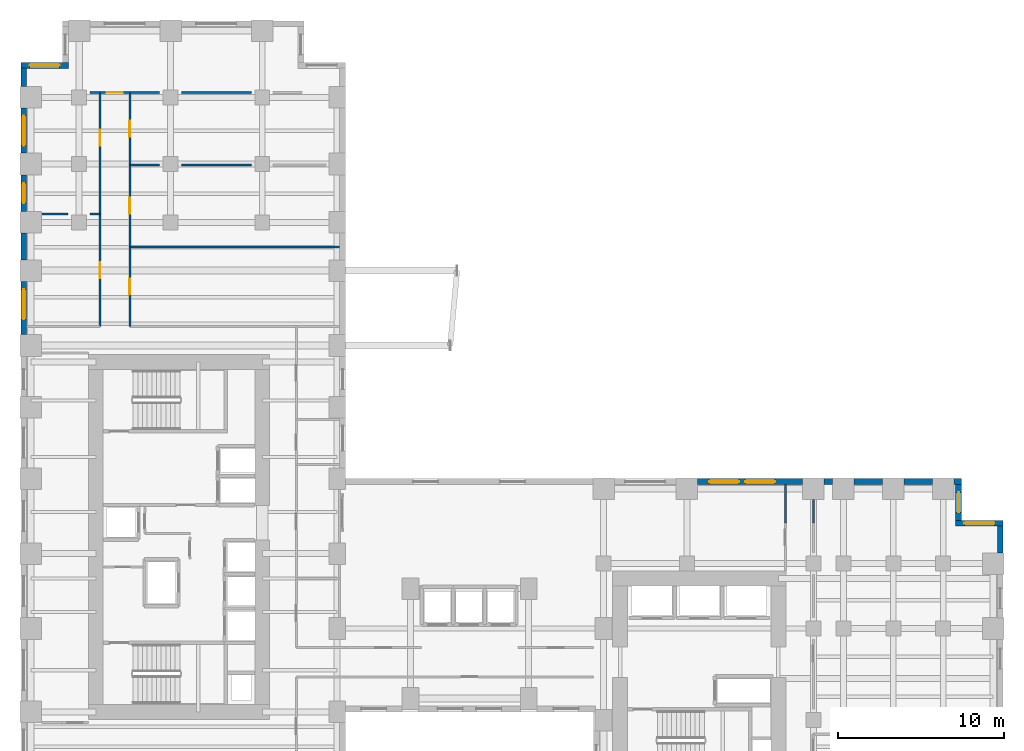
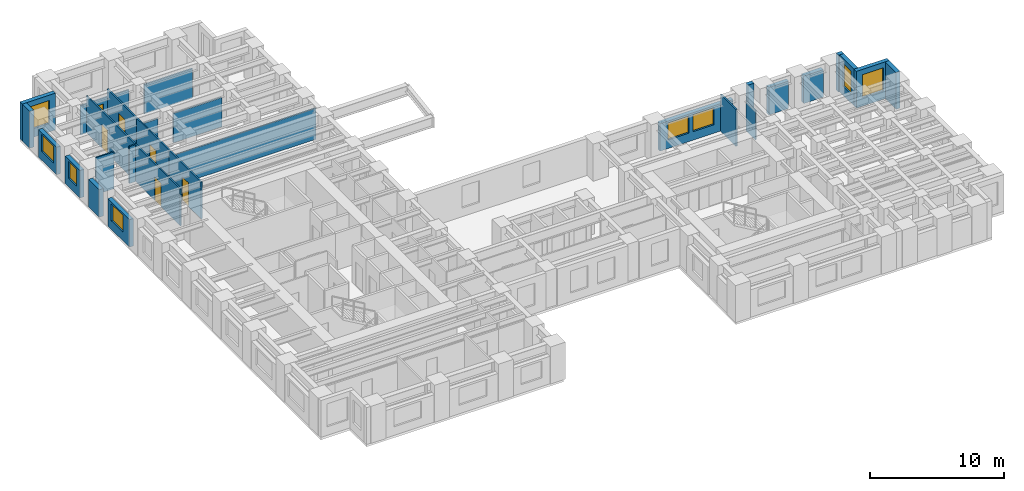
# One storey, part 10 of 13: 30 walls, 8 windows, 6 doors, 14 openings.
"""IFC4 building model written with IfcOpenShell, lengths in metres."""

from ifc_helpers import new_model, si_unit, direction, frame, frame_2d, origin, place, context, subcontext, project, spatial, rectangle, extrude, source, transform, mapped, material, layer, layer_set, type_object, element, fill, save


model = new_model("IFC4")

# Units and contexts
model_context = context("Model", 3, precision=1e-05, world=origin(), true_north=direction((0.0, 1.0)))
body_context = subcontext(model_context, "Body", "Model", "MODEL_VIEW")
ifc_project = project(units=[si_unit("LENGTHUNIT", "METRE"), si_unit("AREAUNIT", "SQUARE_METRE"), si_unit("VOLUMEUNIT", "CUBIC_METRE"), si_unit("PLANEANGLEUNIT", "RADIAN"), si_unit("MASSUNIT", "GRAM", prefix="KILO")], contexts=[model_context])

# Site, building, storey
site_placement = place(None, origin())
site = spatial("IfcSite", under=ifc_project, at=site_placement, CompositionType="ELEMENT")
building_placement = place(site_placement, origin())
building = spatial("IfcBuilding", under=site, at=building_placement, Name="Kharzan Plaza Tower", CompositionType="ELEMENT")
storey_placement = place(building_placement, frame((0.0, 0.0, 65.699951171875)))
storey = spatial("IfcBuildingStorey", under=building, at=storey_placement, Name="L17", CompositionType="ELEMENT", Elevation=65.699951171875)

# Wall, opening, window
ifc_material_1 = material(Name="Concrete C40/50", Category="concrete")
ifc_layer_1 = layer(ifc_material_1, 0.35009765625)
ifc_layer_set_1 = layer_set([ifc_layer_1], Name="Concrete C40/50")
wall_type_1 = type_object("IfcWallType", Name="WL-EXT-MAS-Z1", PredefinedType="SOLIDWALL", material=ifc_layer_set_1)
wall_1_placement = place(storey_placement, frame((2.85009765625, 47.324951171875, 0.0), z_axis=(0.0, 0.0, 1.0), x_axis=(-1.0, 0.0, 0.0)))
wall_1 = element("IfcWall", 1, at=wall_1_placement, inside=storey, type_object=wall_type_1, Name="L17 Masonry-Frame Exterior Wall 08", PredefinedType="SOLIDWALL", context=body_context, shape_type="SweptSolid", body=[
    extrude(rectangle(XDim=2.85009765625, YDim=0.35009765625, at=frame_2d((1.425048828125, 0.0))), origin(), (0.0, 0.0, 1.0), 3.364990234375),
])
opening_1_placement = place(wall_1_placement, frame((0.52490234375, 0.0, 0.780029296875)))
opening_1 = element("IfcOpeningElement", 2, at=opening_1_placement, cuts=wall_1, Name="Opening W1", PredefinedType="OPENING", context=body_context, shape_type="SweptSolid", body=[
    extrude(rectangle(XDim=1.800048828125, YDim=2.10009765625, at=frame_2d((0.89990234375, 1.050048828125))), frame((0.0, 0.18505859375, 0.0), z_axis=(0.0, -1.0, 0.0), x_axis=(1.0, 0.0, 0.0)), (0.0, 0.0, 1.0), 0.3701171875),
])
ifc_material_2 = material(Name="Low-E Double Glazing", Category="glass")
window_type_1 = type_object("IfcWindowType", Name="WN-REC-1800x2100", PartitioningType="SINGLE_PANEL", PredefinedType="WINDOW", material=ifc_material_2)
shared_shape_1 = source(origin(), body_context, "Body", "SweptSolid", [
    extrude(rectangle(XDim=1.800048828125, YDim=2.10009765625, at=frame_2d((0.89990234375, 1.050048828125))), frame((0.0, 0.030029296875, 0.0), z_axis=(0.0, -1.0, 0.0), x_axis=(1.0, 0.0, 0.0)), (0.0, 0.0, 1.0), 0.06005859375),
])
window_1_placement = place(opening_1_placement, origin())
window_1 = element("IfcWindow", 3, at=window_1_placement, inside=storey, type_object=window_type_1, Name="L17 Recessed Solar-Control Window 08-1", OverallHeight=2.10009765625, OverallWidth=1.800048828125, PartitioningType="SINGLE_PANEL", PredefinedType="WINDOW", context=body_context, shape_type="MappedRepresentation", body=[
    mapped(shared_shape_1, transform((0.0, 0.0, 0.0), x_axis=(1.0, 0.0, 0.0), y_axis=(0.0, 1.0, 0.0), z_axis=(0.0, 0.0, 1.0))),
])
fill(opening_1, window_1)

wall_2_placement = place(storey_placement, frame((0.175048828125, 44.751953125, 0.0), z_axis=(0.0, 0.0, 1.0), x_axis=(0.0, -1.0, 0.0)))
wall_2 = element("IfcWall", 4, at=wall_2_placement, inside=storey, type_object=wall_type_1, Name="L17 Masonry-Frame Exterior Wall 10", PredefinedType="SOLIDWALL", context=body_context, shape_type="SweptSolid", body=[
    extrude(rectangle(XDim=2.703857421875, YDim=0.35009765625, at=frame_2d((1.35205078125, 0.0))), origin(), (0.0, 0.0, 1.0), 2.510009765625),
])
opening_2_placement = place(wall_2_placement, frame((0.451904296875, 0.0, 0.780029296875)))
opening_2 = element("IfcOpeningElement", 5, at=opening_2_placement, cuts=wall_2, Name="Opening W1", PredefinedType="OPENING", context=body_context, shape_type="SweptSolid", body=[
    extrude(rectangle(XDim=1.800048828125, YDim=1.550048828125, at=frame_2d((0.89990234375, 0.77490234375))), frame((0.0, 0.18505859375, 0.0), z_axis=(0.0, -1.0, 0.0), x_axis=(1.0, 0.0, 0.0)), (0.0, 0.0, 1.0), 0.3701171875),
])
shared_shape_2 = source(origin(), body_context, "Body", "SweptSolid", [
    extrude(rectangle(XDim=1.800048828125, YDim=1.550048828125, at=frame_2d((0.89990234375, 0.77490234375))), frame((0.0, 0.030029296875, 0.0), z_axis=(0.0, -1.0, 0.0), x_axis=(1.0, 0.0, 0.0)), (0.0, 0.0, 1.0), 0.06005859375),
])
window_2_placement = place(opening_2_placement, origin())
window_2 = element("IfcWindow", 6, at=window_2_placement, inside=storey, type_object=window_type_1, Name="L17 Recessed Solar-Control Window 10-1", OverallHeight=1.550048828125, OverallWidth=1.800048828125, PartitioningType="SINGLE_PANEL", PredefinedType="WINDOW", context=body_context, shape_type="MappedRepresentation", body=[
    mapped(shared_shape_2, transform((0.0, 0.0, 0.0), x_axis=(1.0, 0.0, 0.0), y_axis=(0.0, 1.0, 0.0), z_axis=(0.0, 0.0, 1.0))),
])
fill(opening_2, window_2)

wall_3_placement = place(storey_placement, frame((0.175048828125, 40.751953125, 0.0), z_axis=(0.0, 0.0, 1.0), x_axis=(0.0, -1.0, 0.0)))
wall_3 = element("IfcWall", 7, at=wall_3_placement, inside=storey, type_object=wall_type_1, Name="L17 Masonry-Frame Exterior Wall 11", PredefinedType="SOLIDWALL", context=body_context, shape_type="SweptSolid", body=[
    extrude(rectangle(XDim=2.203857421875, YDim=0.35009765625, at=frame_2d((1.10205078125, 0.0))), origin(), (0.0, 0.0, 1.0), 2.510009765625),
])
opening_3_placement = place(wall_3_placement, frame((0.501953125, 0.0, 0.780029296875)))
opening_3 = element("IfcOpeningElement", 8, at=opening_3_placement, cuts=wall_3, Name="Opening W3", PredefinedType="OPENING", context=body_context, shape_type="SweptSolid", body=[
    extrude(rectangle(XDim=1.199951171875, YDim=1.550048828125, at=frame_2d((0.60009765625, 0.77490234375))), frame((0.0, 0.18505859375, 0.0), z_axis=(0.0, -1.0, 0.0), x_axis=(1.0, 0.0, 0.0)), (0.0, 0.0, 1.0), 0.3701171875),
])
window_type_2 = type_object("IfcWindowType", Name="WN-REC-1200x2100", PartitioningType="SINGLE_PANEL", PredefinedType="WINDOW", material=ifc_material_2)
shared_shape_3 = source(origin(), body_context, "Body", "SweptSolid", [
    extrude(rectangle(XDim=1.199951171875, YDim=1.550048828125, at=frame_2d((0.60009765625, 0.77490234375))), frame((0.0, 0.030029296875, 0.0), z_axis=(0.0, -1.0, 0.0), x_axis=(1.0, 0.0, 0.0)), (0.0, 0.0, 1.0), 0.06005859375),
])
window_3_placement = place(opening_3_placement, origin())
window_3 = element("IfcWindow", 9, at=window_3_placement, inside=storey, type_object=window_type_2, Name="L17 Recessed Solar-Control Window 11-1", OverallHeight=1.550048828125, OverallWidth=1.199951171875, PartitioningType="SINGLE_PANEL", PredefinedType="WINDOW", context=body_context, shape_type="MappedRepresentation", body=[
    mapped(shared_shape_3, transform((0.0, 0.0, 0.0), x_axis=(1.0, 0.0, 0.0), y_axis=(0.0, 1.0, 0.0), z_axis=(0.0, 0.0, 1.0))),
])
fill(opening_3, window_3)

wall_4_placement = place(storey_placement, frame((0.175048828125, 34.35205078125, 0.0), z_axis=(0.0, 0.0, 1.0), x_axis=(0.0, -1.0, 0.0)))
wall_4 = element("IfcWall", 10, at=wall_4_placement, inside=storey, type_object=wall_type_1, Name="L17 Masonry-Frame Exterior Wall 13", PredefinedType="SOLIDWALL", context=body_context, shape_type="SweptSolid", body=[
    extrude(rectangle(XDim=3.2041015625, YDim=0.35009765625, at=frame_2d((1.60205078125, 0.0))), origin(), (0.0, 0.0, 1.0), 2.510009765625),
])
opening_4_placement = place(wall_4_placement, frame((0.486083984375, 0.0, 0.780029296875)))
opening_4 = element("IfcOpeningElement", 11, at=opening_4_placement, cuts=wall_4, Name="Opening W1", PredefinedType="OPENING", context=body_context, shape_type="SweptSolid", body=[
    extrude(rectangle(XDim=1.800048828125, YDim=1.550048828125, at=frame_2d((0.89990234375, 0.77490234375))), frame((0.0, 0.18505859375, 0.0), z_axis=(0.0, -1.0, 0.0), x_axis=(1.0, 0.0, 0.0)), (0.0, 0.0, 1.0), 0.3701171875),
])
window_4_placement = place(opening_4_placement, origin())
window_4 = element("IfcWindow", 12, at=window_4_placement, inside=storey, type_object=window_type_1, Name="L17 Recessed Solar-Control Window 13-1", OverallHeight=1.550048828125, OverallWidth=1.800048828125, PartitioningType="SINGLE_PANEL", PredefinedType="WINDOW", context=body_context, shape_type="MappedRepresentation", body=[
    mapped(shared_shape_2, transform((0.0, 0.0, 0.0), x_axis=(1.0, 0.0, 0.0), y_axis=(0.0, 1.0, 0.0), z_axis=(0.0, 0.0, 1.0))),
])
fill(opening_4, window_4)

wall_5_placement = place(storey_placement, frame((59.0, 19.824951171875, 0.0), z_axis=(0.0, 0.0, 1.0), x_axis=(-1.0, 0.0, 0.0)))
wall_5 = element("IfcWall", 13, at=wall_5_placement, inside=storey, type_object=wall_type_1, Name="L17 Masonry-Frame Exterior Wall 45", PredefinedType="SOLIDWALL", context=body_context, shape_type="SweptSolid", body=[
    extrude(rectangle(XDim=2.85009765625, YDim=0.35009765625, at=frame_2d((1.425048828125, 0.0))), origin(), (0.0, 0.0, 1.0), 3.364990234375),
])
opening_5_placement = place(wall_5_placement, frame((0.52490234375, 0.0, 0.780029296875)))
opening_5 = element("IfcOpeningElement", 14, at=opening_5_placement, cuts=wall_5, Name="Opening W1", PredefinedType="OPENING", context=body_context, shape_type="SweptSolid", body=[
    extrude(rectangle(XDim=1.800048828125, YDim=2.10009765625, at=frame_2d((0.89990234375, 1.050048828125))), frame((0.0, 0.18505859375, 0.0), z_axis=(0.0, -1.0, 0.0), x_axis=(1.0, 0.0, 0.0)), (0.0, 0.0, 1.0), 0.3701171875),
])
window_5_placement = place(opening_5_placement, origin())
window_5 = element("IfcWindow", 15, at=window_5_placement, inside=storey, type_object=window_type_1, Name="L17 Recessed Solar-Control Window 45-1", OverallHeight=2.10009765625, OverallWidth=1.800048828125, PartitioningType="SINGLE_PANEL", PredefinedType="WINDOW", context=body_context, shape_type="MappedRepresentation", body=[
    mapped(shared_shape_1, transform((0.0, 0.0, 0.0), x_axis=(1.0, 0.0, 0.0), y_axis=(0.0, 1.0, 0.0), z_axis=(0.0, 0.0, 1.0))),
])
fill(opening_5, window_5)

wall_6_placement = place(storey_placement, frame((56.324951171875, 19.998046875, 0.0), z_axis=(0.0, 0.0, 1.0), x_axis=(0.0, 1.0, 0.0)))
wall_6 = element("IfcWall", 16, at=wall_6_placement, inside=storey, type_object=wall_type_1, Name="L17 Masonry-Frame Exterior Wall 46", PredefinedType="SOLIDWALL", context=body_context, shape_type="SweptSolid", body=[
    extrude(rectangle(XDim=2.154052734375, YDim=0.35009765625, at=frame_2d((1.0771484375, 0.0))), origin(), (0.0, 0.0, 1.0), 3.364990234375),
])
opening_6_placement = place(wall_6_placement, frame((0.47705078125, 0.0, 0.780029296875)))
opening_6 = element("IfcOpeningElement", 17, at=opening_6_placement, cuts=wall_6, Name="Opening W3", PredefinedType="OPENING", context=body_context, shape_type="SweptSolid", body=[
    extrude(rectangle(XDim=1.199951171875, YDim=2.10009765625, at=frame_2d((0.60009765625, 1.050048828125))), frame((0.0, 0.18505859375, 0.0), z_axis=(0.0, -1.0, 0.0), x_axis=(1.0, 0.0, 0.0)), (0.0, 0.0, 1.0), 0.3701171875),
])
shared_shape_4 = source(origin(), body_context, "Body", "SweptSolid", [
    extrude(rectangle(XDim=1.199951171875, YDim=2.10009765625, at=frame_2d((0.60009765625, 1.050048828125))), frame((0.0, 0.030029296875, 0.0), z_axis=(0.0, -1.0, 0.0), x_axis=(1.0, 0.0, 0.0)), (0.0, 0.0, 1.0), 0.06005859375),
])
window_6_placement = place(opening_6_placement, origin())
window_6 = element("IfcWindow", 18, at=window_6_placement, inside=storey, type_object=window_type_2, Name="L17 Recessed Solar-Control Window 46-1", OverallHeight=2.10009765625, OverallWidth=1.199951171875, PartitioningType="SINGLE_PANEL", PredefinedType="WINDOW", context=body_context, shape_type="MappedRepresentation", body=[
    mapped(shared_shape_4, transform((0.0, 0.0, 0.0), x_axis=(1.0, 0.0, 0.0), y_axis=(0.0, 1.0, 0.0), z_axis=(0.0, 0.0, 1.0))),
])
fill(opening_6, window_6)

# Wall, openings, windows
wall_7_placement = place(storey_placement, frame((46.951904296875, 22.324951171875, 0.0), z_axis=(0.0, 0.0, 1.0), x_axis=(-1.0, 0.0, 0.0)))
wall_7 = element("IfcWall", 19, at=wall_7_placement, inside=storey, type_object=wall_type_1, Name="L17 Masonry-Frame Exterior Wall 51", PredefinedType="SOLIDWALL", context=body_context, shape_type="SweptSolid", body=[
    extrude(rectangle(XDim=6.303955078125, YDim=0.35009765625, at=frame_2d((3.15185546875, 0.0))), origin(), (0.0, 0.0, 1.0), 2.510009765625),
])
opening_7_placement = place(wall_7_placement, frame((1.6494140625, 0.0, 0.780029296875)))
opening_7 = element("IfcOpeningElement", 20, at=opening_7_placement, cuts=wall_7, Name="Opening W1", PredefinedType="OPENING", context=body_context, shape_type="SweptSolid", body=[
    extrude(rectangle(XDim=1.800048828125, YDim=1.550048828125, at=frame_2d((0.89990234375, 0.77490234375))), frame((0.0, 0.18505859375, 0.0), z_axis=(0.0, -1.0, 0.0), x_axis=(1.0, 0.0, 0.0)), (0.0, 0.0, 1.0), 0.3701171875),
])
opening_8_placement = place(wall_7_placement, frame((3.816650390625, 0.0, 0.780029296875)))
opening_8 = element("IfcOpeningElement", 21, at=opening_8_placement, cuts=wall_7, Name="Opening W1", PredefinedType="OPENING", context=body_context, shape_type="SweptSolid", body=[
    extrude(rectangle(XDim=1.800048828125, YDim=1.550048828125, at=frame_2d((0.89990234375, 0.77490234375))), frame((0.0, 0.18505859375, 0.0), z_axis=(0.0, -1.0, 0.0), x_axis=(1.0, 0.0, 0.0)), (0.0, 0.0, 1.0), 0.3701171875),
])
window_7_placement = place(opening_7_placement, origin())
window_7 = element("IfcWindow", 22, at=window_7_placement, inside=storey, type_object=window_type_1, Name="L17 Recessed Solar-Control Window 51-1", OverallHeight=1.550048828125, OverallWidth=1.800048828125, PartitioningType="SINGLE_PANEL", PredefinedType="WINDOW", context=body_context, shape_type="MappedRepresentation", body=[
    mapped(shared_shape_2, transform((0.0, 0.0, 0.0), x_axis=(1.0, 0.0, 0.0), y_axis=(0.0, 1.0, 0.0), z_axis=(0.0, 0.0, 1.0))),
])
fill(opening_7, window_7)
window_8_placement = place(opening_8_placement, origin())
window_8 = element("IfcWindow", 23, at=window_8_placement, inside=storey, type_object=window_type_1, Name="L17 Recessed Solar-Control Window 51-2", OverallHeight=1.550048828125, OverallWidth=1.800048828125, PartitioningType="SINGLE_PANEL", PredefinedType="WINDOW", context=body_context, shape_type="MappedRepresentation", body=[
    mapped(shared_shape_2, transform((0.0, 0.0, 0.0), x_axis=(1.0, 0.0, 0.0), y_axis=(0.0, 1.0, 0.0), z_axis=(0.0, 0.0, 1.0))),
])
fill(opening_8, window_8)

# Wall, opening, door
ifc_material_3 = material(Name="Fire-Rated Gypsum Board Partition", Category="gypsum")
ifc_layer_2 = layer(ifc_material_3, 0.125)
ifc_layer_set_2 = layer_set([ifc_layer_2], Name="Fire-Rated Gypsum Board Partition")
wall_type_2 = type_object("IfcWallType", Name="WL-INT-PART-125", PredefinedType="PARTITIONING", material=ifc_layer_set_2)
wall_8_placement = place(storey_placement, frame((6.550048828125, 31.64990234375, 0.0), z_axis=(0.0, 0.0, 1.0), x_axis=(0.0, 1.0, 0.0)))
wall_8 = element("IfcWall", 24, at=wall_8_placement, inside=storey, type_object=wall_type_2, Name="L17 Interior Partition SH-SPE-1", PredefinedType="PARTITIONING", context=body_context, shape_type="SweptSolid", body=[
    extrude(rectangle(XDim=4.777099609375, YDim=0.125, at=frame_2d((2.388671875, 0.0))), origin(), (0.0, 0.0, 1.0), 3.364990234375),
])
opening_9_placement = place(wall_8_placement, frame((1.91357421875, 0.0, 0.0)))
opening_9 = element("IfcOpeningElement", 25, at=opening_9_placement, cuts=wall_8, Name="Opening OD1", PredefinedType="OPENING", context=body_context, shape_type="SweptSolid", body=[
    extrude(rectangle(XDim=0.949951171875, YDim=2.14990234375, at=frame_2d((0.47509765625, 1.074951171875))), frame((0.0, 0.072509765625, 0.0), z_axis=(0.0, -1.0, 0.0), x_axis=(1.0, 0.0, 0.0)), (0.0, 0.0, 1.0), 0.14501953125),
])
ifc_material_4 = material(Name="Acoustic Solid-Core Stained Oak", Category="timber")
door_type = type_object("IfcDoorType", Name="DR-OFF-SINGLE", OperationType="NOTDEFINED", PredefinedType="DOOR", material=ifc_material_4)
shared_shape_5 = source(origin(), body_context, "Body", "SweptSolid", [
    extrude(rectangle(XDim=0.949951171875, YDim=2.14990234375, at=frame_2d((0.47509765625, 1.074951171875))), frame((0.0, 0.02490234375, 0.0), z_axis=(0.0, -1.0, 0.0), x_axis=(1.0, 0.0, 0.0)), (0.0, 0.0, 1.0), 0.050048828125),
])
door_1_placement = place(opening_9_placement, origin())
door_1 = element("IfcDoor", 26, at=door_1_placement, inside=storey, type_object=door_type, Name="L17 Design Collaboration Office Door", OperationType="SINGLE_SWING_RIGHT", OverallHeight=2.14990234375, OverallWidth=0.949951171875, PredefinedType="DOOR", context=body_context, shape_type="MappedRepresentation", body=[
    mapped(shared_shape_5, transform((0.0, 0.0, 0.0), x_axis=(1.0, 0.0, 0.0), y_axis=(0.0, 1.0, 0.0), z_axis=(0.0, 0.0, 1.0))),
])
fill(opening_9, door_1)

wall_9_placement = place(storey_placement, frame((6.550048828125, 36.427001953125, 0.0), z_axis=(0.0, 0.0, 1.0), x_axis=(0.0, 1.0, 0.0)))
wall_9 = element("IfcWall", 27, at=wall_9_placement, inside=storey, type_object=wall_type_2, Name="L17 Interior Partition SH-SPE-2", PredefinedType="PARTITIONING", context=body_context, shape_type="SweptSolid", body=[
    extrude(rectangle(XDim=4.9169921875, YDim=0.125, at=frame_2d((2.45849609375, 0.0))), origin(), (0.0, 0.0, 1.0), 3.364990234375),
])
opening_10_placement = place(wall_9_placement, frame((1.9833984375, 0.0, 0.0)))
opening_10 = element("IfcOpeningElement", 28, at=opening_10_placement, cuts=wall_9, Name="Opening OD1", PredefinedType="OPENING", context=body_context, shape_type="SweptSolid", body=[
    extrude(rectangle(XDim=0.949951171875, YDim=2.14990234375, at=frame_2d((0.47509765625, 1.074951171875))), frame((0.0, 0.072509765625, 0.0), z_axis=(0.0, -1.0, 0.0), x_axis=(1.0, 0.0, 0.0)), (0.0, 0.0, 1.0), 0.14501953125),
])
door_2_placement = place(opening_10_placement, origin())
door_2 = element("IfcDoor", 29, at=door_2_placement, inside=storey, type_object=door_type, Name="L17 Systems Planning Office Door", OperationType="SINGLE_SWING_LEFT", OverallHeight=2.14990234375, OverallWidth=0.949951171875, PredefinedType="DOOR", context=body_context, shape_type="MappedRepresentation", body=[
    mapped(shared_shape_5, transform((0.0, 0.0, 0.0), x_axis=(1.0, 0.0, 0.0), y_axis=(0.0, 1.0, 0.0), z_axis=(0.0, 0.0, 1.0))),
])
fill(opening_10, door_2)

wall_10_placement = place(storey_placement, frame((6.550048828125, 41.343994140625, 0.0), z_axis=(0.0, 0.0, 1.0), x_axis=(0.0, 1.0, 0.0)))
wall_10 = element("IfcWall", 30, at=wall_10_placement, inside=storey, type_object=wall_type_2, Name="L17 Interior Partition SH-SPE-3", PredefinedType="PARTITIONING", context=body_context, shape_type="SweptSolid", body=[
    extrude(rectangle(XDim=4.35595703125, YDim=0.125, at=frame_2d((2.177978515625, 0.0))), origin(), (0.0, 0.0, 1.0), 3.364990234375),
])
opening_11_placement = place(wall_10_placement, frame((1.702880859375, 0.0, 0.0)))
opening_11 = element("IfcOpeningElement", 31, at=opening_11_placement, cuts=wall_10, Name="Opening OD1", PredefinedType="OPENING", context=body_context, shape_type="SweptSolid", body=[
    extrude(rectangle(XDim=0.949951171875, YDim=2.14990234375, at=frame_2d((0.47509765625, 1.074951171875))), frame((0.0, 0.072509765625, 0.0), z_axis=(0.0, -1.0, 0.0), x_axis=(1.0, 0.0, 0.0)), (0.0, 0.0, 1.0), 0.14501953125),
])
door_3_placement = place(opening_11_placement, origin())
door_3 = element("IfcDoor", 32, at=door_3_placement, inside=storey, type_object=door_type, Name="L17 Open Office Workspace Door", OperationType="SINGLE_SWING_RIGHT", OverallHeight=2.14990234375, OverallWidth=0.949951171875, PredefinedType="DOOR", context=body_context, shape_type="MappedRepresentation", body=[
    mapped(shared_shape_5, transform((0.0, 0.0, 0.0), x_axis=(1.0, 0.0, 0.0), y_axis=(0.0, 1.0, 0.0), z_axis=(0.0, 0.0, 1.0))),
])
fill(opening_11, door_3)

wall_11_placement = place(storey_placement, frame((4.75, 45.699951171875, 0.0), z_axis=(0.0, 0.0, 1.0), x_axis=(1.0, 0.0, 0.0)))
wall_11 = element("IfcWall", 33, at=wall_11_placement, inside=storey, type_object=wall_type_2, Name="L17 Interior Partition SH-SPHD", PredefinedType="PARTITIONING", context=body_context, shape_type="SweptSolid", body=[
    extrude(rectangle(XDim=1.800048828125, YDim=0.125, at=frame_2d((0.89990234375, 0.0))), origin(), (0.0, 0.0, 1.0), 2.670166015625),
])
opening_12_placement = place(wall_11_placement, frame((0.425048828125, 0.0, 0.0)))
opening_12 = element("IfcOpeningElement", 34, at=opening_12_placement, cuts=wall_11, Name="Opening OD1", PredefinedType="OPENING", context=body_context, shape_type="SweptSolid", body=[
    extrude(rectangle(XDim=0.949951171875, YDim=2.14990234375, at=frame_2d((0.47509765625, 1.074951171875))), frame((0.0, 0.072509765625, 0.0), z_axis=(0.0, -1.0, 0.0), x_axis=(1.0, 0.0, 0.0)), (0.0, 0.0, 1.0), 0.14501953125),
])
door_4_placement = place(opening_12_placement, origin())
door_4 = element("IfcDoor", 35, at=door_4_placement, inside=storey, type_object=door_type, Name="L17 North Boardroom Door", OperationType="SINGLE_SWING_LEFT", OverallHeight=2.14990234375, OverallWidth=0.949951171875, PredefinedType="DOOR", context=body_context, shape_type="MappedRepresentation", body=[
    mapped(shared_shape_5, transform((0.0, 0.0, 0.0), x_axis=(1.0, 0.0, 0.0), y_axis=(0.0, 1.0, 0.0), z_axis=(0.0, 0.0, 1.0))),
])
fill(opening_12, door_4)

wall_12_placement = place(storey_placement, frame((4.75, 31.64990234375, 0.0), z_axis=(0.0, 0.0, 1.0), x_axis=(0.0, 1.0, 0.0)))
wall_12 = element("IfcWall", 36, at=wall_12_placement, inside=storey, type_object=wall_type_2, Name="L17 Interior Partition SH-SPW-1", PredefinedType="PARTITIONING", context=body_context, shape_type="SweptSolid", body=[
    extrude(rectangle(XDim=6.744140625, YDim=0.125, at=frame_2d((3.3720703125, 0.0))), origin(), (0.0, 0.0, 1.0), 3.364990234375),
])
opening_13_placement = place(wall_12_placement, frame((2.89697265625, 0.0, 0.0)))
opening_13 = element("IfcOpeningElement", 37, at=opening_13_placement, cuts=wall_12, Name="Opening OD1", PredefinedType="OPENING", context=body_context, shape_type="SweptSolid", body=[
    extrude(rectangle(XDim=0.949951171875, YDim=2.14990234375, at=frame_2d((0.47509765625, 1.074951171875))), frame((0.0, 0.072509765625, 0.0), z_axis=(0.0, -1.0, 0.0), x_axis=(1.0, 0.0, 0.0)), (0.0, 0.0, 1.0), 0.14501953125),
])
door_5_placement = place(opening_13_placement, origin())
door_5 = element("IfcDoor", 38, at=door_5_placement, inside=storey, type_object=door_type, Name="L17 Client Briefing Room Door", OperationType="SINGLE_SWING_RIGHT", OverallHeight=2.14990234375, OverallWidth=0.949951171875, PredefinedType="DOOR", context=body_context, shape_type="MappedRepresentation", body=[
    mapped(shared_shape_5, transform((0.0, 0.0, 0.0), x_axis=(1.0, 0.0, 0.0), y_axis=(0.0, 1.0, 0.0), z_axis=(0.0, 0.0, 1.0))),
])
fill(opening_13, door_5)

wall_13_placement = place(storey_placement, frame((4.75, 38.39404296875, 0.0), z_axis=(0.0, 0.0, 1.0), x_axis=(0.0, 1.0, 0.0)))
wall_13 = element("IfcWall", 39, at=wall_13_placement, inside=storey, type_object=wall_type_2, Name="L17 Interior Partition SH-SPW-2", PredefinedType="PARTITIONING", context=body_context, shape_type="SweptSolid", body=[
    extrude(rectangle(XDim=7.305908203125, YDim=0.125, at=frame_2d((3.65283203125, 0.0))), origin(), (0.0, 0.0, 1.0), 3.364990234375),
])
opening_14_placement = place(wall_13_placement, frame((4.1083984375, 0.0, 0.0)))
opening_14 = element("IfcOpeningElement", 40, at=opening_14_placement, cuts=wall_13, Name="Opening OD1", PredefinedType="OPENING", context=body_context, shape_type="SweptSolid", body=[
    extrude(rectangle(XDim=0.949951171875, YDim=2.14990234375, at=frame_2d((0.47509765625, 1.074951171875))), frame((0.0, 0.072509765625, 0.0), z_axis=(0.0, -1.0, 0.0), x_axis=(1.0, 0.0, 0.0)), (0.0, 0.0, 1.0), 0.14501953125),
])
door_6_placement = place(opening_14_placement, origin())
door_6 = element("IfcDoor", 41, at=door_6_placement, inside=storey, type_object=door_type, Name="L17 Executive Boardroom Door", OperationType="SINGLE_SWING_RIGHT", OverallHeight=2.14990234375, OverallWidth=0.949951171875, PredefinedType="DOOR", context=body_context, shape_type="MappedRepresentation", body=[
    mapped(shared_shape_5, transform((0.0, 0.0, 0.0), x_axis=(1.0, 0.0, 0.0), y_axis=(0.0, 1.0, 0.0), z_axis=(0.0, 0.0, 1.0))),
])
fill(opening_14, door_6)

# Walls
shared_shape_6 = source(origin(), body_context, "Body", "SweptSolid", [
    extrude(rectangle(XDim=1.10400390625, YDim=0.35009765625, at=frame_2d((0.552001953125, 0.0))), origin(), (0.0, 0.0, 1.0), 3.364990234375),
])
wall_14_placement = place(storey_placement, frame((0.175048828125, 47.152099609375, 0.0), z_axis=(0.0, 0.0, 1.0), x_axis=(0.0, -1.0, 0.0)))
element("IfcWall", 42, at=wall_14_placement, inside=storey, type_object=wall_type_1, Name="L17 Masonry-Frame Exterior Wall 09", PredefinedType="SOLIDWALL", context=body_context, shape_type="MappedRepresentation", body=[
    mapped(shared_shape_6, transform((0.0, 0.0, 0.0), x_axis=(1.0, 0.0, 0.0), y_axis=(0.0, 1.0, 0.0), z_axis=(0.0, 0.0, 1.0))),
])
shared_shape_7 = source(origin(), body_context, "Body", "SweptSolid", [
    extrude(rectangle(XDim=1.60400390625, YDim=0.35009765625, at=frame_2d((0.802001953125, 0.0))), origin(), (0.0, 0.0, 1.0), 2.510009765625),
])
wall_15_placement = place(storey_placement, frame((0.175048828125, 37.251953125, 0.0), z_axis=(0.0, 0.0, 1.0), x_axis=(0.0, -1.0, 0.0)))
element("IfcWall", 43, at=wall_15_placement, inside=storey, type_object=wall_type_1, Name="L17 Masonry-Frame Exterior Wall 12", PredefinedType="SOLIDWALL", context=body_context, shape_type="MappedRepresentation", body=[
    mapped(shared_shape_7, transform((0.0, 0.0, 0.0), x_axis=(1.0, 0.0, 0.0), y_axis=(0.0, 1.0, 0.0), z_axis=(0.0, 0.0, 1.0))),
])
shared_shape_8 = source(origin(), body_context, "Body", "SweptSolid", [
    extrude(rectangle(XDim=0.50390625, YDim=0.35009765625, at=frame_2d((0.251953125, 0.0))), origin(), (0.0, 0.0, 1.0), 3.364990234375),
])
wall_16_placement = place(storey_placement, frame((48.751953125, 22.324951171875, 0.0), z_axis=(0.0, 0.0, 1.0), x_axis=(-1.0, 0.0, 0.0)))
element("IfcWall", 44, at=wall_16_placement, inside=storey, type_object=wall_type_1, Name="L17 Masonry-Frame Exterior Wall 50", PredefinedType="SOLIDWALL", context=body_context, shape_type="MappedRepresentation", body=[
    mapped(shared_shape_8, transform((0.0, 0.0, 0.0), x_axis=(1.0, 0.0, 0.0), y_axis=(0.0, 1.0, 0.0), z_axis=(0.0, 0.0, 1.0))),
])
shared_shape_9 = source(origin(), body_context, "Body", "SweptSolid", [
    extrude(rectangle(XDim=1.703857421875, YDim=0.35009765625, at=frame_2d((0.85205078125, 0.0))), origin(), (0.0, 0.0, 1.0), 2.510009765625),
])
for number, where, z_axis, x_axis, name in (
    (45, (54.751953125, 22.324951171875, 0.0), (0.0, 0.0, 1.0), (-1.0, 0.0, 0.0), "L17 Masonry-Frame Exterior Wall 48"),
    (46, (51.751953125, 22.324951171875, 0.0), (0.0, 0.0, 1.0), (-1.0, 0.0, 0.0), "L17 Masonry-Frame Exterior Wall 49"),
):
    element("IfcWall", number, at=place(storey_placement, frame(where, z_axis=z_axis, x_axis=x_axis)), inside=storey, type_object=wall_type_1, Name=name, PredefinedType="SOLIDWALL", context=body_context, shape_type="MappedRepresentation", body=[
        mapped(shared_shape_9, transform((0.0, 0.0, 0.0), x_axis=(1.0, 0.0, 0.0), y_axis=(0.0, 1.0, 0.0), z_axis=(0.0, 0.0, 1.0))),
    ])
shared_shape_10 = source(origin(), body_context, "Body", "SweptSolid", [
    extrude(rectangle(XDim=0.451904296875, YDim=0.35009765625, at=frame_2d((0.22607421875, 0.0))), origin(), (0.0, 0.0, 1.0), 3.364990234375),
])
wall_17_placement = place(storey_placement, frame((56.5, 22.324951171875, 0.0), z_axis=(0.0, 0.0, 1.0), x_axis=(-1.0, 0.0, 0.0)))
element("IfcWall", 47, at=wall_17_placement, inside=storey, type_object=wall_type_1, Name="L17 Masonry-Frame Exterior Wall 47", PredefinedType="SOLIDWALL", context=body_context, shape_type="MappedRepresentation", body=[
    mapped(shared_shape_10, transform((0.0, 0.0, 0.0), x_axis=(1.0, 0.0, 0.0), y_axis=(0.0, 1.0, 0.0), z_axis=(0.0, 0.0, 1.0))),
])
shared_shape_11 = source(origin(), body_context, "Body", "SweptSolid", [
    extrude(rectangle(XDim=1.60400390625, YDim=0.35009765625, at=frame_2d((0.802001953125, 0.0))), origin(), (0.0, 0.0, 1.0), 3.364990234375),
])
wall_18_placement = place(storey_placement, frame((58.824951171875, 18.048095703125, 0.0), z_axis=(0.0, 0.0, 1.0), x_axis=(0.0, 1.0, 0.0)))
element("IfcWall", 48, at=wall_18_placement, inside=storey, type_object=wall_type_1, Name="L17 Masonry-Frame Exterior Wall 44", PredefinedType="SOLIDWALL", context=body_context, shape_type="MappedRepresentation", body=[
    mapped(shared_shape_11, transform((0.0, 0.0, 0.0), x_axis=(1.0, 0.0, 0.0), y_axis=(0.0, 1.0, 0.0), z_axis=(0.0, 0.0, 1.0))),
])
shared_shape_12 = source(origin(), body_context, "Body", "SweptSolid", [
    extrude(rectangle(XDim=1.580078125, YDim=0.125, at=frame_2d((0.7900390625, 0.0))), origin(), (0.0, 0.0, 1.0), 3.364990234375),
])
wall_19_placement = place(storey_placement, frame((1.260009765625, 38.39404296875, 0.0), z_axis=(0.0, 0.0, 1.0), x_axis=(1.0, 0.0, 0.0)))
element("IfcWall", 49, at=wall_19_placement, inside=storey, type_object=wall_type_2, Name="L17 Interior Partition SH-NWH-1-S1", PredefinedType="PARTITIONING", context=body_context, shape_type="MappedRepresentation", body=[
    mapped(shared_shape_12, transform((0.0, 0.0, 0.0), x_axis=(1.0, 0.0, 0.0), y_axis=(0.0, 1.0, 0.0), z_axis=(0.0, 0.0, 1.0))),
])
shared_shape_13 = source(origin(), body_context, "Body", "SweptSolid", [
    extrude(rectangle(XDim=0.590087890625, YDim=0.125, at=frame_2d((0.294921875, 0.0))), origin(), (0.0, 0.0, 1.0), 3.364990234375),
])
wall_20_placement = place(storey_placement, frame((4.159912109375, 38.39404296875, 0.0), z_axis=(0.0, 0.0, 1.0), x_axis=(1.0, 0.0, 0.0)))
element("IfcWall", 50, at=wall_20_placement, inside=storey, type_object=wall_type_2, Name="L17 Interior Partition SH-NWH-1-S2", PredefinedType="PARTITIONING", context=body_context, shape_type="MappedRepresentation", body=[
    mapped(shared_shape_13, transform((0.0, 0.0, 0.0), x_axis=(1.0, 0.0, 0.0), y_axis=(0.0, 1.0, 0.0), z_axis=(0.0, 0.0, 1.0))),
])
shared_shape_14 = source(origin(), body_context, "Body", "SweptSolid", [
    extrude(rectangle(XDim=2.2978515625, YDim=0.125, at=frame_2d((1.14892578125, 0.0))), origin(), (0.0, 0.0, 1.0), 3.364990234375),
])
wall_21_placement = place(storey_placement, frame((45.919921875, 19.85009765625, 0.0), z_axis=(0.0, 0.0, 1.0), x_axis=(0.0, 1.0, 0.0)))
element("IfcWall", 51, at=wall_21_placement, inside=storey, type_object=wall_type_2, Name="L17 Interior Partition SH-RBNE0", PredefinedType="PARTITIONING", context=body_context, shape_type="MappedRepresentation", body=[
    mapped(shared_shape_14, transform((0.0, 0.0, 0.0), x_axis=(1.0, 0.0, 0.0), y_axis=(0.0, 1.0, 0.0), z_axis=(0.0, 0.0, 1.0))),
])
shared_shape_15 = source(origin(), body_context, "Body", "SweptSolid", [
    extrude(rectangle(XDim=1.389892578125, YDim=0.125, at=frame_2d((0.69482421875, 0.0))), origin(), (0.0, 0.0, 1.0), 2.670166015625),
])
wall_22_placement = place(storey_placement, frame((47.60009765625, 19.85009765625, 0.0), z_axis=(0.0, 0.0, 1.0), x_axis=(0.0, 1.0, 0.0)))
element("IfcWall", 52, at=wall_22_placement, inside=storey, type_object=wall_type_2, Name="L17 Interior Partition SH-B0W1N", PredefinedType="PARTITIONING", context=body_context, shape_type="MappedRepresentation", body=[
    mapped(shared_shape_15, transform((0.0, 0.0, 0.0), x_axis=(1.0, 0.0, 0.0), y_axis=(0.0, 1.0, 0.0), z_axis=(0.0, 0.0, 1.0))),
])
shared_shape_16 = source(origin(), body_context, "Body", "SweptSolid", [
    extrude(rectangle(XDim=1.7900390625, YDim=0.125, at=frame_2d((0.89501953125, 0.0))), origin(), (0.0, 0.0, 1.0), 2.670166015625),
])
for number, where, z_axis, x_axis, name in (
    (53, (6.550048828125, 41.343994140625, 0.0), (0.0, 0.0, 1.0), (1.0, 0.0, 0.0), "L17 Interior Partition SH-NEH-2-S1"),
    (54, (6.550048828125, 45.699951171875, 0.0), (0.0, 0.0, 1.0), (1.0, 0.0, 0.0), "L17 Interior Partition SH-SPHE-S1"),
):
    element("IfcWall", number, at=place(storey_placement, frame(where, z_axis=z_axis, x_axis=x_axis)), inside=storey, type_object=wall_type_2, Name=name, PredefinedType="PARTITIONING", context=body_context, shape_type="MappedRepresentation", body=[
        mapped(shared_shape_16, transform((0.0, 0.0, 0.0), x_axis=(1.0, 0.0, 0.0), y_axis=(0.0, 1.0, 0.0), z_axis=(0.0, 0.0, 1.0))),
    ])
shared_shape_17 = source(origin(), body_context, "Body", "SweptSolid", [
    extrude(rectangle(XDim=12.597900390625, YDim=0.125, at=frame_2d((6.298828125, 0.0))), origin(), (0.0, 0.0, 1.0), 2.828125),
])
wall_23_placement = place(storey_placement, frame((6.550048828125, 36.427001953125, 0.0), z_axis=(0.0, 0.0, 1.0), x_axis=(1.0, 0.0, 0.0)))
element("IfcWall", 55, at=wall_23_placement, inside=storey, type_object=wall_type_2, Name="L17 Interior Partition SH-NEH-1", PredefinedType="PARTITIONING", context=body_context, shape_type="MappedRepresentation", body=[
    mapped(shared_shape_17, transform((0.0, 0.0, 0.0), x_axis=(1.0, 0.0, 0.0), y_axis=(0.0, 1.0, 0.0), z_axis=(0.0, 0.0, 1.0))),
])
shared_shape_18 = source(origin(), body_context, "Body", "SweptSolid", [
    extrude(rectangle(XDim=4.18017578125, YDim=0.125, at=frame_2d((2.090087890625, 0.0))), origin(), (0.0, 0.0, 1.0), 2.670166015625),
])
for number, where, z_axis, x_axis, name in (
    (56, (9.659912109375, 41.343994140625, 0.0), (0.0, 0.0, 1.0), (1.0, 0.0, 0.0), "L17 Interior Partition SH-NEH-2-S2"),
    (57, (9.659912109375, 45.699951171875, 0.0), (0.0, 0.0, 1.0), (1.0, 0.0, 0.0), "L17 Interior Partition SH-SPHE-S2"),
):
    element("IfcWall", number, at=place(storey_placement, frame(where, z_axis=z_axis, x_axis=x_axis)), inside=storey, type_object=wall_type_2, Name=name, PredefinedType="PARTITIONING", context=body_context, shape_type="MappedRepresentation", body=[
        mapped(shared_shape_18, transform((0.0, 0.0, 0.0), x_axis=(1.0, 0.0, 0.0), y_axis=(0.0, 1.0, 0.0), z_axis=(0.0, 0.0, 1.0))),
    ])
shared_shape_19 = source(origin(), body_context, "Body", "SweptSolid", [
    extrude(rectangle(XDim=0.590087890625, YDim=0.125, at=frame_2d((0.294921875, 0.0))), origin(), (0.0, 0.0, 1.0), 2.670166015625),
])
wall_24_placement = place(storey_placement, frame((4.159912109375, 45.699951171875, 0.0), z_axis=(0.0, 0.0, 1.0), x_axis=(1.0, 0.0, 0.0)))
element("IfcWall", 58, at=wall_24_placement, inside=storey, type_object=wall_type_2, Name="L17 Interior Partition SH-SPHW", PredefinedType="PARTITIONING", context=body_context, shape_type="MappedRepresentation", body=[
    mapped(shared_shape_19, transform((0.0, 0.0, 0.0), x_axis=(1.0, 0.0, 0.0), y_axis=(0.0, 1.0, 0.0), z_axis=(0.0, 0.0, 1.0))),
])

save(model, "model.ifc")
